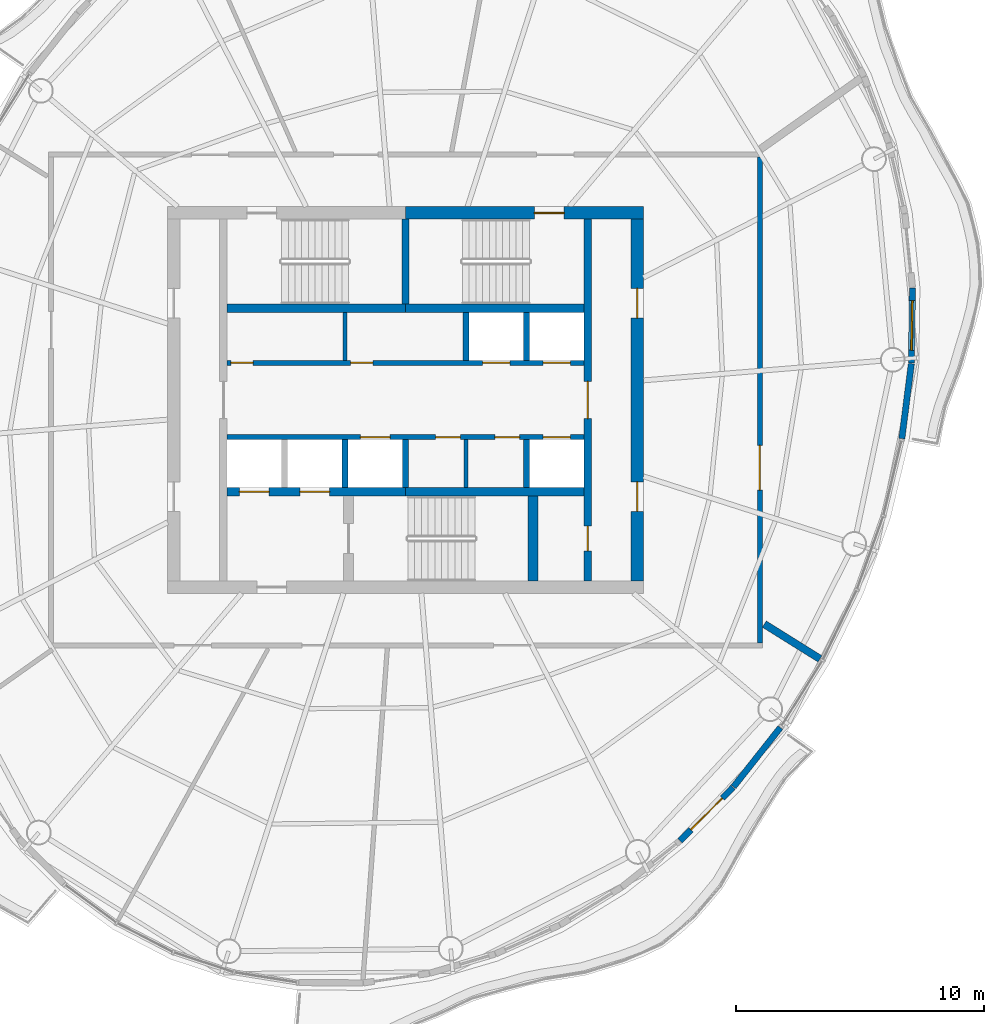
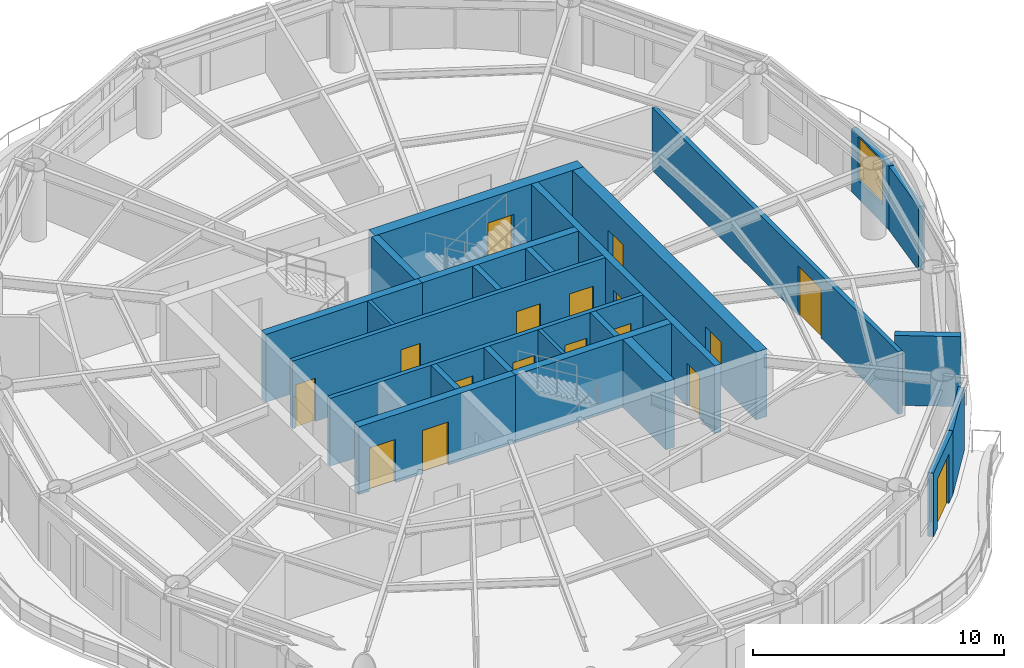
# One storey, part 8 of 13: 24 walls, 17 doors, 1 window, 18 openings.
"""IFC4 building model written with IfcOpenShell, lengths in metres."""

from ifc_helpers import new_model, si_unit, direction, frame, frame_2d, origin, place, context, subcontext, project, spatial, rectangle, extrude, material, layer, layer_set, type_object, element, fill, save


model = new_model("IFC4")

# Units and contexts
model_context = context("Model", 3, precision=1e-05, world=origin(), true_north=direction((0.0, 1.0)))
body_context = subcontext(model_context, "Body", "Model", "MODEL_VIEW")
ifc_project = project(units=[si_unit("LENGTHUNIT", "METRE"), si_unit("AREAUNIT", "SQUARE_METRE"), si_unit("VOLUMEUNIT", "CUBIC_METRE"), si_unit("PLANEANGLEUNIT", "RADIAN"), si_unit("MASSUNIT", "GRAM", prefix="KILO")], contexts=[model_context])

# Site, building, storey
site_placement = place(None, origin())
site = spatial("IfcSite", under=ifc_project, at=site_placement, CompositionType="ELEMENT")
building_placement = place(site_placement, origin())
building = spatial("IfcBuilding", under=site, at=building_placement, Name="Vermilion Reach Broadcast Tower", CompositionType="ELEMENT")
storey_placement = place(building_placement, frame((0.0, 0.0, 300.89990234375)))
storey = spatial("IfcBuildingStorey", under=building, at=storey_placement, Name="L75", CompositionType="ELEMENT", Elevation=300.89990234375)

# Wall, openings, doors
ifc_material_1 = material(Name="Concrete C50", Category="concrete")
ifc_layer_1 = layer(ifc_material_1, 0.300048828125)
ifc_layer_set_1 = layer_set([ifc_layer_1], Name="Core inner wall 300 mm Concrete C50")
wall_type_1 = type_object("IfcWallType", Name="Core inner wall 300 mm Concrete C50", PredefinedType="SHEAR", material=ifc_layer_set_1)
wall_1_placement = place(storey_placement, frame((1.35009765625, -7.300048828125, 0.0), z_axis=(0.0, 0.0, 1.0), x_axis=(0.0, 1.0, 0.0)))
wall_1 = element("IfcWall", 1, at=wall_1_placement, inside=storey, type_object=wall_type_1, Name="L75 core wall ewE", PredefinedType="SHEAR", context=body_context, shape_type="SweptSolid", body=[
    extrude(rectangle(XDim=14.60009765625, YDim=0.300048828125, at=frame_2d((7.300048828125, 0.0))), origin(), (0.0, 0.0, 1.0), 3.300048828125),
])
opening_1_placement = place(wall_1_placement, frame((1.2099609375, 0.0, 0.0)))
opening_1 = element("IfcOpeningElement", 2, at=opening_1_placement, cuts=wall_1, Name="Opening D05", PredefinedType="OPENING", context=body_context, shape_type="SweptSolid", body=[
    extrude(rectangle(XDim=1.0, YDim=2.10009765625, at=frame_2d((0.5, 1.050048828125))), frame((0.0, 0.159912109375, 0.0), z_axis=(0.0, -1.0, 0.0), x_axis=(1.0, 0.0, 0.0)), (0.0, 0.0, 1.0), 0.320068359375),
])
opening_2_placement = place(wall_1_placement, frame((6.550048828125, 0.0, 0.0)))
opening_2 = element("IfcOpeningElement", 3, at=opening_2_placement, cuts=wall_1, Name="Opening D04", PredefinedType="OPENING", context=body_context, shape_type="SweptSolid", body=[
    extrude(rectangle(XDim=1.5, YDim=2.10009765625, at=frame_2d((0.75, 1.050048828125))), frame((0.0, 0.159912109375, 0.0), z_axis=(0.0, -1.0, 0.0), x_axis=(1.0, 0.0, 0.0)), (0.0, 0.0, 1.0), 0.320068359375),
])
ifc_material_2 = material(Name="Painted steel fire door", Category="steel")
door_type_1 = type_object("IfcDoorType", Name="Lift lobby door 1500 x 2100", OperationType="DOUBLE_DOOR_SINGLE_SWING", PredefinedType="NOTDEFINED", material=ifc_material_2)
door_1_placement = place(opening_2_placement, origin())
door_1 = element("IfcDoor", 4, at=door_1_placement, inside=storey, type_object=door_type_1, Name="L75 band door BE", OperationType="DOUBLE_DOOR_SINGLE_SWING", OverallHeight=2.10009765625, OverallWidth=1.5, PredefinedType="NOTDEFINED", context=body_context, shape_type="SweptSolid", body=[
    extrude(rectangle(XDim=1.5, YDim=2.10009765625, at=frame_2d((0.75, 1.050048828125))), frame((0.0, 0.02490234375, 0.0), z_axis=(0.0, -1.0, 0.0), x_axis=(1.0, 0.0, 0.0)), (0.0, 0.0, 1.0), 0.050048828125),
])
fill(opening_2, door_1)
ifc_material_3 = material(Name="Timber door", Category="wood")
door_type_2 = type_object("IfcDoorType", Name="Room door 1000 x 2100", OperationType="NOTDEFINED", PredefinedType="NOTDEFINED", material=ifc_material_3)
door_2_placement = place(opening_1_placement, origin())
door_2 = element("IfcDoor", 5, at=door_2_placement, inside=storey, type_object=door_type_2, Name="L75 door SER", OperationType="SINGLE_SWING_LEFT", OverallHeight=2.10009765625, OverallWidth=1.0, PredefinedType="NOTDEFINED", context=body_context, shape_type="SweptSolid", body=[
    extrude(rectangle(XDim=1.0, YDim=2.10009765625, at=frame_2d((0.5, 1.050048828125))), frame((0.0, 0.02490234375, 0.0), z_axis=(0.0, -1.0, 0.0), x_axis=(1.0, 0.0, 0.0)), (0.0, 0.0, 1.0), 0.050048828125),
])
fill(opening_1, door_2)

# Walls
wall_2_placement = place(storey_placement, frame((-6.0, 3.8798828125, 0.0), z_axis=(0.0, 0.0, 1.0), x_axis=(0.0, 1.0, 0.0)))
element("IfcWall", 6, at=wall_2_placement, inside=storey, type_object=wall_type_1, Name="L75 core wall wc", PredefinedType="SHEAR", context=body_context, shape_type="SweptSolid", body=[
    extrude(rectangle(XDim=3.420166015625, YDim=0.300048828125, at=frame_2d((1.7099609375, 0.0))), origin(), (0.0, 0.0, 1.0), 3.300048828125),
])
ifc_material_4 = material(Name="Concrete C50", Category="concrete")
ifc_layer_2 = layer(ifc_material_4, 0.35009765625)
ifc_layer_set_2 = layer_set([ifc_layer_2], Name="Core inner wall 350 mm Concrete C50")
wall_type_2 = type_object("IfcWallType", Name="Core inner wall 350 mm Concrete C50", PredefinedType="SHEAR", material=ifc_layer_set_2)
for number, where, z_axis, x_axis, name in (
    (7, (-13.199951171875, 3.705078125, 0.0), (0.0, 0.0, 1.0), (1.0, 0.0, 0.0), "L75 core wall winW"),
    (8, (-6.0, 3.705078125, 0.0), (0.0, 0.0, 1.0), (1.0, 0.0, 0.0), "L75 core wall winE"),
):
    element("IfcWall", number, at=place(storey_placement, frame(where, z_axis=z_axis, x_axis=x_axis)), inside=storey, type_object=wall_type_2, Name=name, PredefinedType="SHEAR", context=body_context, shape_type="SweptSolid", body=[
        extrude(rectangle(XDim=7.199951171875, YDim=0.35009765625, at=frame_2d((3.60009765625, 0.0))), origin(), (0.0, 0.0, 1.0), 3.300048828125),
    ])

# Wall, openings, doors
wall_3_placement = place(storey_placement, frame((-13.199951171875, -3.705078125, 0.0), z_axis=(0.0, 0.0, 1.0), x_axis=(1.0, 0.0, 0.0)))
wall_3 = element("IfcWall", 9, at=wall_3_placement, inside=storey, type_object=wall_type_2, Name="L75 core wall wisW", PredefinedType="SHEAR", context=body_context, shape_type="SweptSolid", body=[
    extrude(rectangle(XDim=7.199951171875, YDim=0.35009765625, at=frame_2d((3.60009765625, 0.0))), origin(), (0.0, 0.0, 1.0), 3.300048828125),
])
opening_3_placement = place(wall_3_placement, frame((0.495849609375, 0.0, 0.0)))
opening_3 = element("IfcOpeningElement", 10, at=opening_3_placement, cuts=wall_3, Name="Opening LD1", PredefinedType="OPENING", context=body_context, shape_type="SweptSolid", body=[
    extrude(rectangle(XDim=1.199951171875, YDim=2.10009765625, at=frame_2d((0.60009765625, 1.050048828125))), frame((0.0, 0.18505859375, 0.0), z_axis=(0.0, -1.0, 0.0), x_axis=(1.0, 0.0, 0.0)), (0.0, 0.0, 1.0), 0.3701171875),
])
opening_4_placement = place(wall_3_placement, frame((2.9375, 0.0, 0.0)))
opening_4 = element("IfcOpeningElement", 11, at=opening_4_placement, cuts=wall_3, Name="Opening LD1", PredefinedType="OPENING", context=body_context, shape_type="SweptSolid", body=[
    extrude(rectangle(XDim=1.199951171875, YDim=2.10009765625, at=frame_2d((0.60009765625, 1.050048828125))), frame((0.0, 0.18505859375, 0.0), z_axis=(0.0, -1.0, 0.0), x_axis=(1.0, 0.0, 0.0)), (0.0, 0.0, 1.0), 0.3701171875),
])
ifc_material_5 = material(Name="Stainless steel", Category="steel")
door_type_3 = type_object("IfcDoorType", Name="Landing door 1200 x 2100", OperationType="DOUBLE_DOOR_SLIDING", PredefinedType="NOTDEFINED", material=ifc_material_5)
door_3_placement = place(opening_3_placement, origin())
door_3 = element("IfcDoor", 12, at=door_3_placement, inside=storey, type_object=door_type_3, Name="L75 landing door FF1", OperationType="DOUBLE_DOOR_SLIDING", OverallHeight=2.10009765625, OverallWidth=1.199951171875, PredefinedType="NOTDEFINED", context=body_context, shape_type="SweptSolid", body=[
    extrude(rectangle(XDim=1.199951171875, YDim=2.10009765625, at=frame_2d((0.60009765625, 1.050048828125))), frame((0.0, 0.02490234375, 0.0), z_axis=(0.0, -1.0, 0.0), x_axis=(1.0, 0.0, 0.0)), (0.0, 0.0, 1.0), 0.050048828125),
])
fill(opening_3, door_3)
door_4_placement = place(opening_4_placement, origin())
door_4 = element("IfcDoor", 13, at=door_4_placement, inside=storey, type_object=door_type_3, Name="L75 landing door FF2", OperationType="DOUBLE_DOOR_SLIDING", OverallHeight=2.10009765625, OverallWidth=1.199951171875, PredefinedType="NOTDEFINED", context=body_context, shape_type="SweptSolid", body=[
    extrude(rectangle(XDim=1.199951171875, YDim=2.10009765625, at=frame_2d((0.60009765625, 1.050048828125))), frame((0.0, 0.02490234375, 0.0), z_axis=(0.0, -1.0, 0.0), x_axis=(1.0, 0.0, 0.0)), (0.0, 0.0, 1.0), 0.050048828125),
])
fill(opening_4, door_4)

# Walls
wall_4_placement = place(storey_placement, frame((-6.0, -3.705078125, 0.0), z_axis=(0.0, 0.0, 1.0), x_axis=(1.0, 0.0, 0.0)))
element("IfcWall", 14, at=wall_4_placement, inside=storey, type_object=wall_type_2, Name="L75 core wall wisE", PredefinedType="SHEAR", context=body_context, shape_type="SweptSolid", body=[
    extrude(rectangle(XDim=7.199951171875, YDim=0.35009765625, at=frame_2d((3.60009765625, 0.0))), origin(), (0.0, 0.0, 1.0), 3.300048828125),
])
ifc_material_6 = material(Name="Concrete C50", Category="concrete")
ifc_layer_3 = layer(ifc_material_6, 0.39990234375)
ifc_layer_set_3 = layer_set([ifc_layer_3], Name="Core inner wall 400 mm Concrete C50")
wall_type_3 = type_object("IfcWallType", Name="Core inner wall 400 mm Concrete C50", PredefinedType="SHEAR", material=ifc_layer_set_3)
wall_5_placement = place(storey_placement, frame((-0.85009765625, -3.8798828125, 0.0), z_axis=(0.0, 0.0, 1.0), x_axis=(0.0, -1.0, 0.0)))
element("IfcWall", 15, at=wall_5_placement, inside=storey, type_object=wall_type_3, Name="L75 core wall wb", PredefinedType="SHEAR", context=body_context, shape_type="SweptSolid", body=[
    extrude(rectangle(XDim=3.420166015625, YDim=0.39990234375, at=frame_2d((1.7099609375, 0.0))), origin(), (0.0, 0.0, 1.0), 3.300048828125),
])

# Wall, opening, door
ifc_material_7 = material(Name="Concrete C50", Category="concrete")
ifc_layer_4 = layer(ifc_material_7, 0.5)
ifc_layer_set_4 = layer_set([ifc_layer_4], Name="Core outer wall 500 mm Concrete C50")
wall_type_4 = type_object("IfcWallType", Name="Core outer wall 500 mm Concrete C50", PredefinedType="SHEAR", material=ifc_layer_set_4)
wall_6_placement = place(storey_placement, frame((3.60009765625, 7.550048828125, 0.0), z_axis=(0.0, 0.0, 1.0), x_axis=(-1.0, 0.0, 0.0)))
wall_6 = element("IfcWall", 16, at=wall_6_placement, inside=storey, type_object=wall_type_4, Name="L75 core wall onE", PredefinedType="SHEAR", context=body_context, shape_type="SweptSolid", body=[
    extrude(rectangle(XDim=9.60009765625, YDim=0.5, at=frame_2d((4.800048828125, 0.0))), origin(), (0.0, 0.0, 1.0), 3.300048828125),
])
opening_5_placement = place(wall_6_placement, frame((3.199951171875, 0.0, 0.0)))
opening_5 = element("IfcOpeningElement", 17, at=opening_5_placement, cuts=wall_6, Name="Opening D01", PredefinedType="OPENING", context=body_context, shape_type="SweptSolid", body=[
    extrude(rectangle(XDim=1.199951171875, YDim=2.10009765625, at=frame_2d((0.60009765625, 1.050048828125))), frame((0.0, 0.260009765625, 0.0), z_axis=(0.0, -1.0, 0.0), x_axis=(1.0, 0.0, 0.0)), (0.0, 0.0, 1.0), 0.52001953125),
])
ifc_material_8 = material(Name="Painted steel fire door", Category="steel")
door_type_4 = type_object("IfcDoorType", Name="Stair door 1200 x 2100", OperationType="DOUBLE_DOOR_SINGLE_SWING", PredefinedType="NOTDEFINED", material=ifc_material_8)
door_5_placement = place(opening_5_placement, origin())
door_5 = element("IfcDoor", 18, at=door_5_placement, inside=storey, type_object=door_type_4, Name="L75 stair door ST2", OperationType="DOUBLE_DOOR_SINGLE_SWING", OverallHeight=2.10009765625, OverallWidth=1.199951171875, PredefinedType="NOTDEFINED", context=body_context, shape_type="SweptSolid", body=[
    extrude(rectangle(XDim=1.199951171875, YDim=2.10009765625, at=frame_2d((0.60009765625, 1.050048828125))), frame((0.0, 0.02490234375, 0.0), z_axis=(0.0, -1.0, 0.0), x_axis=(1.0, 0.0, 0.0)), (0.0, 0.0, 1.0), 0.050048828125),
])
fill(opening_5, door_5)

# Wall, openings, doors
wall_7_placement = place(storey_placement, frame((3.35009765625, -7.300048828125, 0.0), z_axis=(0.0, 0.0, 1.0), x_axis=(0.0, 1.0, 0.0)))
wall_7 = element("IfcWall", 19, at=wall_7_placement, inside=storey, type_object=wall_type_4, Name="L75 core wall oe", PredefinedType="SHEAR", context=body_context, shape_type="SweptSolid", body=[
    extrude(rectangle(XDim=14.60009765625, YDim=0.5, at=frame_2d((7.300048828125, 0.0))), origin(), (0.0, 0.0, 1.0), 3.300048828125),
])
opening_6_placement = place(wall_7_placement, frame((2.800048828125, 0.0, 0.0)))
opening_6 = element("IfcOpeningElement", 20, at=opening_6_placement, cuts=wall_7, Name="Opening D03", PredefinedType="OPENING", context=body_context, shape_type="SweptSolid", body=[
    extrude(rectangle(XDim=1.199951171875, YDim=2.10009765625, at=frame_2d((0.60009765625, 1.050048828125))), frame((0.0, 0.260009765625, 0.0), z_axis=(0.0, -1.0, 0.0), x_axis=(1.0, 0.0, 0.0)), (0.0, 0.0, 1.0), 0.52001953125),
])
opening_7_placement = place(wall_7_placement, frame((10.60009765625, 0.0, 0.0)))
opening_7 = element("IfcOpeningElement", 21, at=opening_7_placement, cuts=wall_7, Name="Opening D03", PredefinedType="OPENING", context=body_context, shape_type="SweptSolid", body=[
    extrude(rectangle(XDim=1.199951171875, YDim=2.10009765625, at=frame_2d((0.60009765625, 1.050048828125))), frame((0.0, 0.260009765625, 0.0), z_axis=(0.0, -1.0, 0.0), x_axis=(1.0, 0.0, 0.0)), (0.0, 0.0, 1.0), 0.52001953125),
])
ifc_material_9 = material(Name="Painted steel fire door", Category="steel")
door_type_5 = type_object("IfcDoorType", Name="Core lobby door 1200 x 2100", OperationType="DOUBLE_DOOR_SINGLE_SWING", PredefinedType="NOTDEFINED", material=ifc_material_9)
door_6_placement = place(opening_6_placement, origin())
door_6 = element("IfcDoor", 22, at=door_6_placement, inside=storey, type_object=door_type_5, Name="L75 slot door E0", OperationType="DOUBLE_DOOR_SINGLE_SWING", OverallHeight=2.10009765625, OverallWidth=1.199951171875, PredefinedType="NOTDEFINED", context=body_context, shape_type="SweptSolid", body=[
    extrude(rectangle(XDim=1.199951171875, YDim=2.10009765625, at=frame_2d((0.60009765625, 1.050048828125))), frame((0.0, 0.02490234375, 0.0), z_axis=(0.0, -1.0, 0.0), x_axis=(1.0, 0.0, 0.0)), (0.0, 0.0, 1.0), 0.050048828125),
])
fill(opening_6, door_6)
door_7_placement = place(opening_7_placement, origin())
door_7 = element("IfcDoor", 23, at=door_7_placement, inside=storey, type_object=door_type_5, Name="L75 slot door E1", OperationType="DOUBLE_DOOR_SINGLE_SWING", OverallHeight=2.10009765625, OverallWidth=1.199951171875, PredefinedType="NOTDEFINED", context=body_context, shape_type="SweptSolid", body=[
    extrude(rectangle(XDim=1.199951171875, YDim=2.10009765625, at=frame_2d((0.60009765625, 1.050048828125))), frame((0.0, 0.02490234375, 0.0), z_axis=(0.0, -1.0, 0.0), x_axis=(1.0, 0.0, 0.0)), (0.0, 0.0, 1.0), 0.050048828125),
])
fill(opening_7, door_7)

# Walls
ifc_material_10 = material(Name="Masonry block", Category="masonry")
ifc_layer_5 = layer(ifc_material_10, 0.14990234375)
ifc_layer_set_5 = layer_set([ifc_layer_5], Name="Core partition wall 150 mm Masonry block")
wall_type_5 = type_object("IfcWallType", Name="Core partition wall 150 mm Masonry block", PredefinedType="PARTITIONING", material=ifc_layer_set_5)
for number, where, z_axis, x_axis, name in (
    (24, (-8.441650390625, 1.60009765625, 0.0), (0.0, 0.0, 1.0), (0.0, 1.0, 0.0), "L75 core wall prN-2442"),
    (25, (-3.558349609375, -1.60009765625, 0.0), (0.0, 0.0, 1.0), (0.0, -1.0, 0.0), "L75 core wall prS2442"),
):
    element("IfcWall", number, at=place(storey_placement, frame(where, z_axis=z_axis, x_axis=x_axis)), inside=storey, type_object=wall_type_5, Name=name, PredefinedType="PARTITIONING", context=body_context, shape_type="SweptSolid", body=[
        extrude(rectangle(XDim=1.929931640625, YDim=0.14990234375, at=frame_2d((0.96484375, 0.0))), origin(), (0.0, 0.0, 1.0), 3.300048828125),
    ])

# Wall, openings, doors
ifc_material_11 = material(Name="Concrete C50", Category="concrete")
ifc_layer_6 = layer(ifc_material_11, 0.199951171875)
ifc_layer_set_6 = layer_set([ifc_layer_6], Name="Core shaft wall 200 mm Concrete C50")
wall_type_6 = type_object("IfcWallType", Name="Core shaft wall 200 mm Concrete C50", PredefinedType="SHEAR", material=ifc_layer_set_6)
wall_8_placement = place(storey_placement, frame((-13.199951171875, 1.5, 0.0), z_axis=(0.0, 0.0, 1.0), x_axis=(1.0, 0.0, 0.0)))
wall_8 = element("IfcWall", 26, at=wall_8_placement, inside=storey, type_object=wall_type_6, Name="L75 core wall fn", PredefinedType="SHEAR", context=body_context, shape_type="SweptSolid", body=[
    extrude(rectangle(XDim=14.39990234375, YDim=0.199951171875, at=frame_2d((7.199951171875, 0.0))), origin(), (0.0, 0.0, 1.0), 3.300048828125),
])
opening_8_placement = place(wall_8_placement, frame((10.3125, 0.0, 0.0)))
opening_8 = element("IfcOpeningElement", 27, at=opening_8_placement, cuts=wall_8, Name="Opening LD2", PredefinedType="OPENING", context=body_context, shape_type="SweptSolid", body=[
    extrude(rectangle(XDim=1.10009765625, YDim=2.10009765625, at=frame_2d((0.550048828125, 1.050048828125))), frame((0.0, 0.10986328125, 0.0), z_axis=(0.0, -1.0, 0.0), x_axis=(1.0, 0.0, 0.0)), (0.0, 0.0, 1.0), 0.219970703125),
])
opening_9_placement = place(wall_8_placement, frame((12.754150390625, 0.0, 0.0)))
opening_9 = element("IfcOpeningElement", 28, at=opening_9_placement, cuts=wall_8, Name="Opening LD2", PredefinedType="OPENING", context=body_context, shape_type="SweptSolid", body=[
    extrude(rectangle(XDim=1.10009765625, YDim=2.10009765625, at=frame_2d((0.550048828125, 1.050048828125))), frame((0.0, 0.10986328125, 0.0), z_axis=(0.0, -1.0, 0.0), x_axis=(1.0, 0.0, 0.0)), (0.0, 0.0, 1.0), 0.219970703125),
])
opening_10_placement = place(wall_8_placement, frame((0.14990234375, 0.0, 0.0)))
opening_10 = element("IfcOpeningElement", 29, at=opening_10_placement, cuts=wall_8, Name="Opening D06", PredefinedType="OPENING", context=body_context, shape_type="SweptSolid", body=[
    extrude(rectangle(XDim=0.89990234375, YDim=2.10009765625, at=frame_2d((0.449951171875, 1.050048828125))), frame((0.0, 0.10986328125, 0.0), z_axis=(0.0, -1.0, 0.0), x_axis=(1.0, 0.0, 0.0)), (0.0, 0.0, 1.0), 0.219970703125),
])
opening_11_placement = place(wall_8_placement, frame((4.9833984375, 0.0, 0.0)))
opening_11 = element("IfcOpeningElement", 30, at=opening_11_placement, cuts=wall_8, Name="Opening D06", PredefinedType="OPENING", context=body_context, shape_type="SweptSolid", body=[
    extrude(rectangle(XDim=0.89990234375, YDim=2.10009765625, at=frame_2d((0.449951171875, 1.050048828125))), frame((0.0, 0.10986328125, 0.0), z_axis=(0.0, -1.0, 0.0), x_axis=(1.0, 0.0, 0.0)), (0.0, 0.0, 1.0), 0.219970703125),
])
ifc_material_12 = material(Name="Stainless steel", Category="steel")
door_type_6 = type_object("IfcDoorType", Name="Landing door 1100 x 2100", OperationType="DOUBLE_DOOR_SLIDING", PredefinedType="NOTDEFINED", material=ifc_material_12)
door_8_placement = place(opening_8_placement, origin())
door_8 = element("IfcDoor", 31, at=door_8_placement, inside=storey, type_object=door_type_6, Name="L75 landing door HR1", OperationType="DOUBLE_DOOR_SLIDING", OverallHeight=2.10009765625, OverallWidth=1.10009765625, PredefinedType="NOTDEFINED", context=body_context, shape_type="SweptSolid", body=[
    extrude(rectangle(XDim=1.10009765625, YDim=2.10009765625, at=frame_2d((0.550048828125, 1.050048828125))), frame((0.0, 0.02490234375, 0.0), z_axis=(0.0, -1.0, 0.0), x_axis=(1.0, 0.0, 0.0)), (0.0, 0.0, 1.0), 0.050048828125),
])
fill(opening_8, door_8)
door_9_placement = place(opening_9_placement, origin())
door_9 = element("IfcDoor", 32, at=door_9_placement, inside=storey, type_object=door_type_6, Name="L75 landing door HR2", OperationType="DOUBLE_DOOR_SLIDING", OverallHeight=2.10009765625, OverallWidth=1.10009765625, PredefinedType="NOTDEFINED", context=body_context, shape_type="SweptSolid", body=[
    extrude(rectangle(XDim=1.10009765625, YDim=2.10009765625, at=frame_2d((0.550048828125, 1.050048828125))), frame((0.0, 0.02490234375, 0.0), z_axis=(0.0, -1.0, 0.0), x_axis=(1.0, 0.0, 0.0)), (0.0, 0.0, 1.0), 0.050048828125),
])
fill(opening_9, door_9)
ifc_material_13 = material(Name="Timber door", Category="wood")
door_type_7 = type_object("IfcDoorType", Name="WC door 900 x 2100", OperationType="NOTDEFINED", PredefinedType="NOTDEFINED", material=ifc_material_13)
door_10_placement = place(opening_10_placement, origin())
door_10 = element("IfcDoor", 33, at=door_10_placement, inside=storey, type_object=door_type_7, Name="L75 door Female WC", OperationType="SINGLE_SWING_LEFT", OverallHeight=2.10009765625, OverallWidth=0.89990234375, PredefinedType="NOTDEFINED", context=body_context, shape_type="SweptSolid", body=[
    extrude(rectangle(XDim=0.89990234375, YDim=2.10009765625, at=frame_2d((0.449951171875, 1.050048828125))), frame((0.0, 0.02490234375, 0.0), z_axis=(0.0, -1.0, 0.0), x_axis=(1.0, 0.0, 0.0)), (0.0, 0.0, 1.0), 0.050048828125),
])
fill(opening_10, door_10)
door_11_placement = place(opening_11_placement, origin())
door_11 = element("IfcDoor", 34, at=door_11_placement, inside=storey, type_object=door_type_7, Name="L75 door Male WC", OperationType="SINGLE_SWING_LEFT", OverallHeight=2.10009765625, OverallWidth=0.89990234375, PredefinedType="NOTDEFINED", context=body_context, shape_type="SweptSolid", body=[
    extrude(rectangle(XDim=0.89990234375, YDim=2.10009765625, at=frame_2d((0.449951171875, 1.050048828125))), frame((0.0, 0.02490234375, 0.0), z_axis=(0.0, -1.0, 0.0), x_axis=(1.0, 0.0, 0.0)), (0.0, 0.0, 1.0), 0.050048828125),
])
fill(opening_11, door_11)

wall_9_placement = place(storey_placement, frame((1.199951171875, -1.5, 0.0), z_axis=(0.0, 0.0, 1.0), x_axis=(-1.0, 0.0, 0.0)))
wall_9 = element("IfcWall", 35, at=wall_9_placement, inside=storey, type_object=wall_type_6, Name="L75 core wall fs", PredefinedType="SHEAR", context=body_context, shape_type="SweptSolid", body=[
    extrude(rectangle(XDim=14.39990234375, YDim=0.199951171875, at=frame_2d((7.199951171875, 0.0))), origin(), (0.0, 0.0, 1.0), 3.300048828125),
])
opening_12_placement = place(wall_9_placement, frame((7.82080078125, 0.0, 0.0)))
opening_12 = element("IfcOpeningElement", 36, at=opening_12_placement, cuts=wall_9, Name="Opening LD1", PredefinedType="OPENING", context=body_context, shape_type="SweptSolid", body=[
    extrude(rectangle(XDim=1.199951171875, YDim=2.10009765625, at=frame_2d((0.60009765625, 1.050048828125))), frame((0.0, 0.10986328125, 0.0), z_axis=(0.0, -1.0, 0.0), x_axis=(1.0, 0.0, 0.0)), (0.0, 0.0, 1.0), 0.219970703125),
])
opening_13_placement = place(wall_9_placement, frame((0.5458984375, 0.0, 0.0)))
opening_13 = element("IfcOpeningElement", 37, at=opening_13_placement, cuts=wall_9, Name="Opening LD2", PredefinedType="OPENING", context=body_context, shape_type="SweptSolid", body=[
    extrude(rectangle(XDim=1.10009765625, YDim=2.10009765625, at=frame_2d((0.550048828125, 1.050048828125))), frame((0.0, 0.10986328125, 0.0), z_axis=(0.0, -1.0, 0.0), x_axis=(1.0, 0.0, 0.0)), (0.0, 0.0, 1.0), 0.219970703125),
])
opening_14_placement = place(wall_9_placement, frame((4.9833984375, 0.0, 0.0)))
opening_14 = element("IfcOpeningElement", 38, at=opening_14_placement, cuts=wall_9, Name="Opening D07", PredefinedType="OPENING", context=body_context, shape_type="SweptSolid", body=[
    extrude(rectangle(XDim=1.0, YDim=2.10009765625, at=frame_2d((0.5, 1.050048828125))), frame((0.0, 0.10986328125, 0.0), z_axis=(0.0, -1.0, 0.0), x_axis=(1.0, 0.0, 0.0)), (0.0, 0.0, 1.0), 0.219970703125),
])
opening_15_placement = place(wall_9_placement, frame((2.591552734375, 0.0, 0.0)))
opening_15 = element("IfcOpeningElement", 39, at=opening_15_placement, cuts=wall_9, Name="Opening D10", PredefinedType="OPENING", context=body_context, shape_type="SweptSolid", body=[
    extrude(rectangle(XDim=1.0, YDim=2.10009765625, at=frame_2d((0.5, 1.050048828125))), frame((0.0, 0.10986328125, 0.0), z_axis=(0.0, -1.0, 0.0), x_axis=(1.0, 0.0, 0.0)), (0.0, 0.0, 1.0), 0.219970703125),
])
ifc_material_14 = material(Name="Timber door", Category="wood")
door_type_8 = type_object("IfcDoorType", Name="Accessible WC door 1000 x 2100", OperationType="NOTDEFINED", PredefinedType="NOTDEFINED", material=ifc_material_14)
door_12_placement = place(opening_14_placement, origin())
door_12 = element("IfcDoor", 40, at=door_12_placement, inside=storey, type_object=door_type_8, Name="L75 door Accessible WC", OperationType="SINGLE_SWING_LEFT", OverallHeight=2.10009765625, OverallWidth=1.0, PredefinedType="NOTDEFINED", context=body_context, shape_type="SweptSolid", body=[
    extrude(rectangle(XDim=1.0, YDim=2.10009765625, at=frame_2d((0.5, 1.050048828125))), frame((0.0, 0.02490234375, 0.0), z_axis=(0.0, -1.0, 0.0), x_axis=(1.0, 0.0, 0.0)), (0.0, 0.0, 1.0), 0.050048828125),
])
fill(opening_14, door_12)
door_13_placement = place(opening_13_placement, origin())
door_13 = element("IfcDoor", 41, at=door_13_placement, inside=storey, type_object=door_type_6, Name="L75 landing door HR3", OperationType="DOUBLE_DOOR_SLIDING", OverallHeight=2.10009765625, OverallWidth=1.10009765625, PredefinedType="NOTDEFINED", context=body_context, shape_type="SweptSolid", body=[
    extrude(rectangle(XDim=1.10009765625, YDim=2.10009765625, at=frame_2d((0.550048828125, 1.050048828125))), frame((0.0, 0.02490234375, 0.0), z_axis=(0.0, -1.0, 0.0), x_axis=(1.0, 0.0, 0.0)), (0.0, 0.0, 1.0), 0.050048828125),
])
fill(opening_13, door_13)
door_14_placement = place(opening_12_placement, origin())
door_14 = element("IfcDoor", 42, at=door_14_placement, inside=storey, type_object=door_type_3, Name="L75 landing door SV1", OperationType="DOUBLE_DOOR_SLIDING", OverallHeight=2.10009765625, OverallWidth=1.199951171875, PredefinedType="NOTDEFINED", context=body_context, shape_type="SweptSolid", body=[
    extrude(rectangle(XDim=1.199951171875, YDim=2.10009765625, at=frame_2d((0.60009765625, 1.050048828125))), frame((0.0, 0.02490234375, 0.0), z_axis=(0.0, -1.0, 0.0), x_axis=(1.0, 0.0, 0.0)), (0.0, 0.0, 1.0), 0.050048828125),
])
fill(opening_12, door_14)
ifc_material_15 = material(Name="Timber door", Category="wood")
door_type_9 = type_object("IfcDoorType", Name="WC lobby door 1000 x 2100", OperationType="NOTDEFINED", PredefinedType="NOTDEFINED", material=ifc_material_15)
door_15_placement = place(opening_15_placement, origin())
door_15 = element("IfcDoor", 43, at=door_15_placement, inside=storey, type_object=door_type_9, Name="L75 door WC lobby", OperationType="SINGLE_SWING_LEFT", OverallHeight=2.10009765625, OverallWidth=1.0, PredefinedType="NOTDEFINED", context=body_context, shape_type="SweptSolid", body=[
    extrude(rectangle(XDim=1.0, YDim=2.10009765625, at=frame_2d((0.5, 1.050048828125))), frame((0.0, 0.02490234375, 0.0), z_axis=(0.0, -1.0, 0.0), x_axis=(1.0, 0.0, 0.0)), (0.0, 0.0, 1.0), 0.050048828125),
])
fill(opening_15, door_15)

# Walls
ifc_material_16 = material(Name="Concrete C50", Category="concrete")
ifc_layer_7 = layer(ifc_material_16, 0.25)
ifc_layer_set_7 = layer_set([ifc_layer_7], Name="Core shaft wall 250 mm Concrete C50")
wall_type_7 = type_object("IfcWallType", Name="Core shaft wall 250 mm Concrete C50", PredefinedType="SHEAR", material=ifc_layer_set_7)
for number, where, z_axis, x_axis, name in (
    (44, (-3.558349609375, 1.60009765625, 0.0), (0.0, 0.0, 1.0), (0.0, 1.0, 0.0), "L75 core wall psN3"),
    (45, (-1.11669921875, 1.60009765625, 0.0), (0.0, 0.0, 1.0), (0.0, 1.0, 0.0), "L75 core wall psN4"),
    (46, (-8.441650390625, -1.60009765625, 0.0), (0.0, 0.0, 1.0), (0.0, -1.0, 0.0), "L75 core wall psS1"),
    (47, (-6.0, -1.60009765625, 0.0), (0.0, 0.0, 1.0), (0.0, -1.0, 0.0), "L75 core wall psS2"),
    (48, (-1.11669921875, -1.60009765625, 0.0), (0.0, 0.0, 1.0), (0.0, -1.0, 0.0), "L75 core wall psS4"),
):
    element("IfcWall", number, at=place(storey_placement, frame(where, z_axis=z_axis, x_axis=x_axis)), inside=storey, type_object=wall_type_7, Name=name, PredefinedType="SHEAR", context=body_context, shape_type="SweptSolid", body=[
        extrude(rectangle(XDim=1.929931640625, YDim=0.25, at=frame_2d((0.96484375, 0.0))), origin(), (0.0, 0.0, 1.0), 3.300048828125),
    ])
ifc_material_17 = material(Name="Double-leaf plasterboard on isolated steel stud", Category="steel")
ifc_layer_8 = layer(ifc_material_17, 0.300048828125)
ifc_layer_set_8 = layer_set([ifc_layer_8], Name="Partition 300 acoustic double leaf")
wall_type_8 = type_object("IfcWallType", Name="Partition 300 acoustic double leaf", PredefinedType="PARTITIONING", material=ifc_layer_set_8)
wall_10_placement = place(storey_placement, frame((10.724365234375, -10.447021484375, 0.0), z_axis=(0.0, 0.0, 1.0), x_axis=(-0.848117464959, 0.529808234771, 0.0)))
element("IfcWall", 49, at=wall_10_placement, inside=storey, type_object=wall_type_8, Name="Partition 75.07", PredefinedType="PARTITIONING", context=body_context, shape_type="SweptSolid", body=[
    extrude(rectangle(XDim=2.64697265625, YDim=0.300048828125, at=frame_2d((1.323486328125, 0.0))), origin(), (0.0, 0.0, 1.0), 3.400146484375),
])

# Wall, opening, door
ifc_material_18 = material(Name="Terracotta rainscreen cladding", Category="masonry")
ifc_layer_9 = layer(ifc_material_18, 0.25)
ifc_layer_set_9 = layer_set([ifc_layer_9], Name="Terracotta rainscreen wall 250")
wall_type_9 = type_object("IfcWallType", Name="Terracotta rainscreen wall 250", PredefinedType="SOLIDWALL", material=ifc_layer_set_9)
wall_11_placement = place(storey_placement, frame((5.07958984375, -17.784423828125, 0.0), z_axis=(0.0, 0.0, 1.0), x_axis=(0.704653875191, 0.709551207581, 0.0)))
wall_11 = element("IfcWall", 50, at=wall_11_placement, inside=storey, type_object=wall_type_9, Name="External wall L75 32", PredefinedType="SOLIDWALL", context=body_context, shape_type="SweptSolid", body=[
    extrude(rectangle(XDim=3.041015625, YDim=0.25, at=frame_2d((1.5205078125, 0.0))), origin(), (0.0, 0.0, 1.0), 3.10009765625),
])
opening_16_placement = place(wall_11_placement, frame((0.6201171875, 0.0, 0.0)))
opening_16 = element("IfcOpeningElement", 51, at=opening_16_placement, cuts=wall_11, Name="Opening D70", PredefinedType="OPENING", context=body_context, shape_type="SweptSolid", body=[
    extrude(rectangle(XDim=1.800048828125, YDim=2.39990234375, at=frame_2d((0.89990234375, 1.199951171875))), frame((0.0, 0.135009765625, 0.0), z_axis=(0.0, -1.0, 0.0), x_axis=(1.0, 0.0, 0.0)), (0.0, 0.0, 1.0), 0.27001953125),
])
ifc_material_19 = material(Name="Low-e laminated clear glass in aluminium frame", Category="aluminium")
door_type_10 = type_object("IfcDoorType", Name="Balcony sliding door 1800 x 2400", OperationType="DOUBLE_DOOR_SLIDING", PredefinedType="DOOR", material=ifc_material_19)
door_16_placement = place(opening_16_placement, origin())
door_16 = element("IfcDoor", 52, at=door_16_placement, inside=storey, type_object=door_type_10, Name="Balcony door L75 run 08", OperationType="DOUBLE_DOOR_SLIDING", OverallHeight=2.39990234375, OverallWidth=1.800048828125, PredefinedType="DOOR", context=body_context, shape_type="SweptSolid", body=[
    extrude(rectangle(XDim=1.800048828125, YDim=2.39990234375, at=frame_2d((0.89990234375, 1.199951171875))), frame((0.0, 0.02490234375, 0.0), z_axis=(0.0, -1.0, 0.0), x_axis=(1.0, 0.0, 0.0)), (0.0, 0.0, 1.0), 0.050048828125),
])
fill(opening_16, door_16)

# Walls
for number, where, z_axis, x_axis, name in (
    (53, (7.237060546875, -15.6103515625, 0.0), (0.0, 0.0, 1.0), (0.620358215529, 0.784318611551, 0.0), "External wall L75 33"),
    (54, (14.029541015625, -1.55908203125, 0.0), (0.0, 0.0, 1.0), (0.126311602656, 0.991990614388, 0.0), "External wall L75 38"),
):
    element("IfcWall", number, at=place(storey_placement, frame(where, z_axis=z_axis, x_axis=x_axis)), inside=storey, type_object=wall_type_9, Name=name, PredefinedType="SOLIDWALL", context=body_context, shape_type="SweptSolid", body=[
        extrude(rectangle(XDim=3.048095703125, YDim=0.25, at=frame_2d((1.52392578125, 0.0))), origin(), (0.0, 0.0, 1.0), 3.10009765625),
    ])

# Wall, opening, window
wall_12_placement = place(storey_placement, frame((14.416015625, 1.486572265625, 0.0), z_axis=(0.0, 0.0, 1.0), x_axis=(0.013889779276, 0.999903532363, 0.0)))
wall_12 = element("IfcWall", 55, at=wall_12_placement, inside=storey, type_object=wall_type_9, Name="External wall L75 39", PredefinedType="SOLIDWALL", context=body_context, shape_type="SweptSolid", body=[
    extrude(rectangle(XDim=3.040771484375, YDim=0.25, at=frame_2d((1.5205078125, 0.0))), origin(), (0.0, 0.0, 1.0), 3.10009765625),
])
opening_17_placement = place(wall_12_placement, frame((0.5205078125, 0.0, 0.89990234375)))
opening_17 = element("IfcOpeningElement", 56, at=opening_17_placement, cuts=wall_12, Name="Opening W03", PredefinedType="OPENING", context=body_context, shape_type="SweptSolid", body=[
    extrude(rectangle(XDim=2.0, YDim=2.10009765625, at=frame_2d((1.0, 1.050048828125))), frame((0.0, 0.135009765625, 0.0), z_axis=(0.0, -1.0, 0.0), x_axis=(1.0, 0.0, 0.0)), (0.0, 0.0, 1.0), 0.27001953125),
])
ifc_material_20 = material(Name="Low-e laminated clear glass in aluminium frame", Category="aluminium")
window_type = type_object("IfcWindowType", Name="Punched window 2000 x 2100 sill 900", PartitioningType="SINGLE_PANEL", PredefinedType="WINDOW", material=ifc_material_20)
window_placement = place(opening_17_placement, origin())
window = element("IfcWindow", 57, at=window_placement, inside=storey, type_object=window_type, Name="Window L75 39", OverallHeight=2.10009765625, OverallWidth=2.0, PartitioningType="SINGLE_PANEL", PredefinedType="WINDOW", context=body_context, shape_type="SweptSolid", body=[
    extrude(rectangle(XDim=2.0, YDim=2.10009765625, at=frame_2d((1.0, 1.050048828125))), frame((0.0, 0.030029296875, 0.0), z_axis=(0.0, -1.0, 0.0), x_axis=(1.0, 0.0, 0.0)), (0.0, 0.0, 1.0), 0.06005859375),
])
fill(opening_17, window)

# Wall, opening, door
ifc_material_21 = material(Name="Fire-rated gypsum board partition")
ifc_layer_10 = layer(ifc_material_21, 0.199951171875)
ifc_layer_set_10 = layer_set([ifc_layer_10], Name="Under girder: Corridor wall 200 fire-rated")
wall_type_10 = type_object("IfcWallType", Name="Under girder: Corridor wall 200 fire-rated", PredefinedType="PARTITIONING", material=ifc_layer_set_10)
wall_13_placement = place(storey_placement, frame((8.300048828125, 9.800048828125, 0.0), z_axis=(0.0, 0.0, 1.0), x_axis=(0.0, -1.0, 0.0)))
wall_13 = element("IfcWall", 58, at=wall_13_placement, inside=storey, type_object=wall_type_10, Name="Corridor wall 75.E", PredefinedType="PARTITIONING", context=body_context, shape_type="SweptSolid", body=[
    extrude(rectangle(XDim=19.60009765625, YDim=0.199951171875, at=frame_2d((9.800048828125, 0.0))), origin(), (0.0, 0.0, 1.0), 3.050048828125),
])
opening_18_placement = place(wall_13_placement, frame((11.636474609375, 0.0, 0.0)))
opening_18 = element("IfcOpeningElement", 59, at=opening_18_placement, cuts=wall_13, Name="Opening D27", PredefinedType="OPENING", context=body_context, shape_type="SweptSolid", body=[
    extrude(rectangle(XDim=1.800048828125, YDim=2.39990234375, at=frame_2d((0.89990234375, 1.199951171875))), frame((0.0, 0.10986328125, 0.0), z_axis=(0.0, -1.0, 0.0), x_axis=(1.0, 0.0, 0.0)), (0.0, 0.0, 1.0), 0.219970703125),
])
ifc_material_22 = material(Name="Acoustic timber door leaf", Category="wood")
door_type_11 = type_object("IfcDoorType", Name="Door pair 1800x2400", OperationType="NOTDEFINED", PredefinedType="DOOR", material=ifc_material_22)
door_17_placement = place(opening_18_placement, origin())
door_17 = element("IfcDoor", 60, at=door_17_placement, inside=storey, type_object=door_type_11, Name="Door 75.07", OperationType="DOUBLE_DOOR_SINGLE_SWING", OverallHeight=2.39990234375, OverallWidth=1.800048828125, PredefinedType="DOOR", context=body_context, shape_type="SweptSolid", body=[
    extrude(rectangle(XDim=1.800048828125, YDim=2.39990234375, at=frame_2d((0.89990234375, 1.199951171875))), frame((0.0, 0.02490234375, 0.0), z_axis=(0.0, -1.0, 0.0), x_axis=(1.0, 0.0, 0.0)), (0.0, 0.0, 1.0), 0.050048828125),
])
fill(opening_18, door_17)

save(model, "model.ifc")
